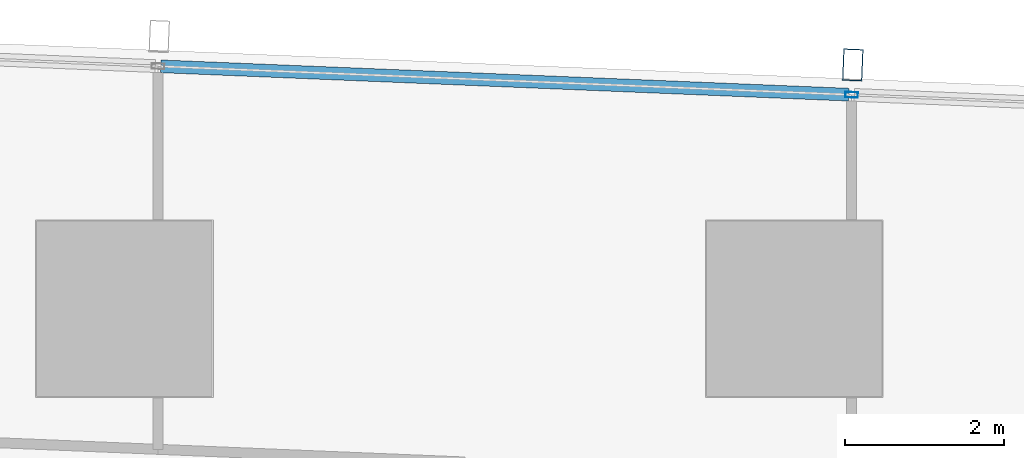
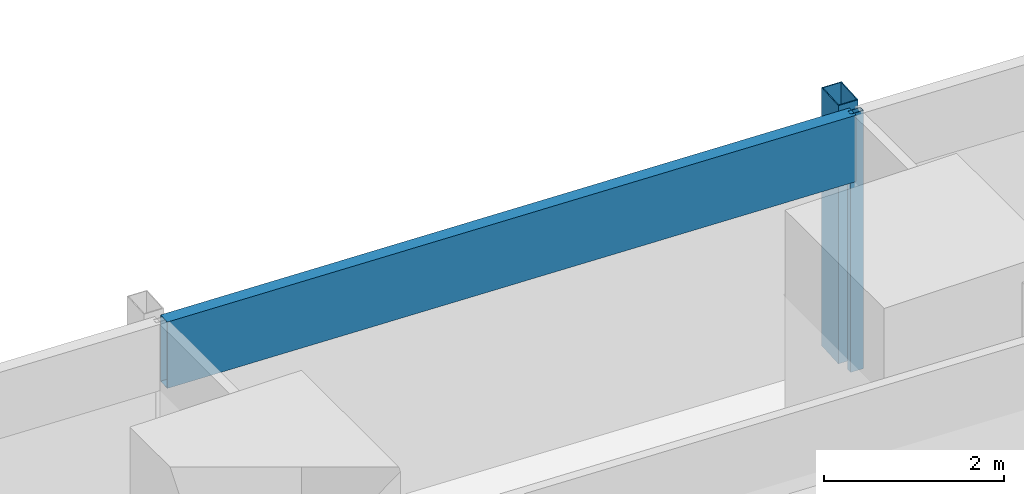
# One storey, part 21 of 44: 3 members, 1 element without a shape of its own.
"""IFC4 building model written with IfcOpenShell, lengths in metres."""

from ifc_helpers import new_model, si_unit, direction, frame, origin, origin_2d, place, context, subcontext, project, spatial, hollow_rectangle, extrude, material, material_profile, profile_set, type_object, element, aggregate, save


model = new_model("IFC4")

# Units and contexts
model_context = context("Model", 3, precision=1e-05, world=origin(), true_north=direction((0.0, 1.0)))
body_context = subcontext(model_context, "Body", "Model", "MODEL_VIEW")
ifc_project = project(units=[si_unit("LENGTHUNIT", "METRE"), si_unit("AREAUNIT", "SQUARE_METRE"), si_unit("VOLUMEUNIT", "CUBIC_METRE"), si_unit("PLANEANGLEUNIT", "RADIAN"), si_unit("MASSUNIT", "GRAM", prefix="KILO")], contexts=[model_context])

# Site, building, storey
site_placement = place(None, origin())
site = spatial("IfcSite", under=ifc_project, at=site_placement, CompositionType="ELEMENT")
building_placement = place(site_placement, origin())
building = spatial("IfcBuilding", under=site, at=building_placement, Name="Rekha Terrace Tower", CompositionType="ELEMENT")
storey_placement = place(building_placement, frame((0.0, 0.0, 47.89990234375)))
storey = spatial("IfcBuildingStorey", under=building, at=storey_placement, Name="L11", CompositionType="ELEMENT", Elevation=47.89990234375)

# Curtain wall, members
ifc_material_1 = material(Name="Aluminium framing", Category="aluminium")
curtain_wall_type = type_object("IfcCurtainWallType", Name="CW3 north unitised glazing", PredefinedType="USERDEFINED", material=ifc_material_1)
curtain_wall_placement = place(storey_placement, origin())
curtain_wall = element("IfcCurtainWall", 1, at=curtain_wall_placement, inside=storey, type_object=curtain_wall_type, Name="CW3 unitised curtain wall", ObjectType="UNITISED CURTAIN WALL", PredefinedType="USERDEFINED")
ifc_material_2 = material(Name="Steel S355 with fluorocarbon finish", Category="steel")
ifc_material_profile_1 = material_profile(ifc_material_2, hollow_rectangle(XDim=0.25, YDim=0.39990234375, WallThickness=0.012451171875, at=origin_2d()), Name="RHS400x250x12.5")
ifc_profile_set_1 = profile_set([ifc_material_profile_1], Name="Steel S355 with fluorocarbon finish")
member_type_1 = type_object("IfcMemberType", Name="BL1 facade blade RHS 400 x 250", PredefinedType="USERDEFINED", material=ifc_profile_set_1)
member_1_placement = place(storey_placement, frame((42.73388671875, 61.857421875, 0.0), z_axis=(0.0, 0.0, 1.0), x_axis=(-0.99915196507, 0.041174636562, 0.0)))
member_1 = element("IfcMember", 2, at=member_1_placement, type_object=member_type_1, Name="Facade blade", ObjectType="FACADE BLADE", PredefinedType="USERDEFINED", context=body_context, shape_type="SweptSolid", body=[
    extrude(hollow_rectangle(XDim=0.25, YDim=0.39990234375, WallThickness=0.012451171875, at=origin_2d()), origin(), (0.0, 0.0, 1.0), 3.5),
])
ifc_material_3 = material(Name="Aluminium mullion section", Category="aluminium")
ifc_material_profile_2 = material_profile(ifc_material_3, hollow_rectangle(XDim=0.070068359375, YDim=0.159912109375, WallThickness=0.00390625, at=origin_2d()), Name="AL RHS 70x160")
ifc_profile_set_2 = profile_set([ifc_material_profile_2], Name="Aluminium mullion section")
member_type_2 = type_object("IfcMemberType", Name="CW3 mullion RHS 70 x 160", PredefinedType="MULLION", material=ifc_profile_set_2)
member_2_placement = place(storey_placement, frame((42.718505859375, 61.48291015625, 0.0), z_axis=(0.0, 0.0, 1.0), x_axis=(-0.041173846041, -0.999151997647, 0.0)))
member_2 = element("IfcMember", 3, at=member_2_placement, type_object=member_type_2, Name="CW3 mullion 4", PredefinedType="MULLION", context=body_context, shape_type="SweptSolid", body=[
    extrude(hollow_rectangle(XDim=0.070068359375, YDim=0.159912109375, WallThickness=0.00390625, at=origin_2d()), origin(), (0.0, 0.0, 1.0), 3.5),
])
ifc_material_4 = material(Name="Insulated aluminium spandrel box", Category="aluminium")
ifc_material_profile_3 = material_profile(ifc_material_4, hollow_rectangle(XDim=0.159912109375, YDim=0.89990234375, WallThickness=0.0029296875, at=origin_2d()), Name="AL SPANDREL BOX 160x900")
ifc_profile_set_3 = profile_set([ifc_material_profile_3], Name="Insulated aluminium spandrel box")
member_type_3 = type_object("IfcMemberType", Name="CW3 spandrel transom 160 x 900", PredefinedType="USERDEFINED", material=ifc_profile_set_3)
member_3_placement = place(storey_placement, frame((42.68359375, 61.484375, 3.050048828125), z_axis=(-0.999152128669, 0.041170666459, 0.0), x_axis=(-0.041170666459, -0.999152128669, 0.0)))
member_3 = element("IfcMember", 4, at=member_3_placement, type_object=member_type_3, Name="CW3 spandrel transom 4", ObjectType="TRANSOM", PredefinedType="USERDEFINED", context=body_context, shape_type="SweptSolid", body=[
    extrude(hollow_rectangle(XDim=0.159912109375, YDim=0.89990234375, WallThickness=0.0029296875, at=origin_2d()), origin(), (0.0, 0.0, 1.0), 8.634033203125),
])
aggregate(curtain_wall, [member_2, member_3, member_1])

save(model, "model.ifc")
